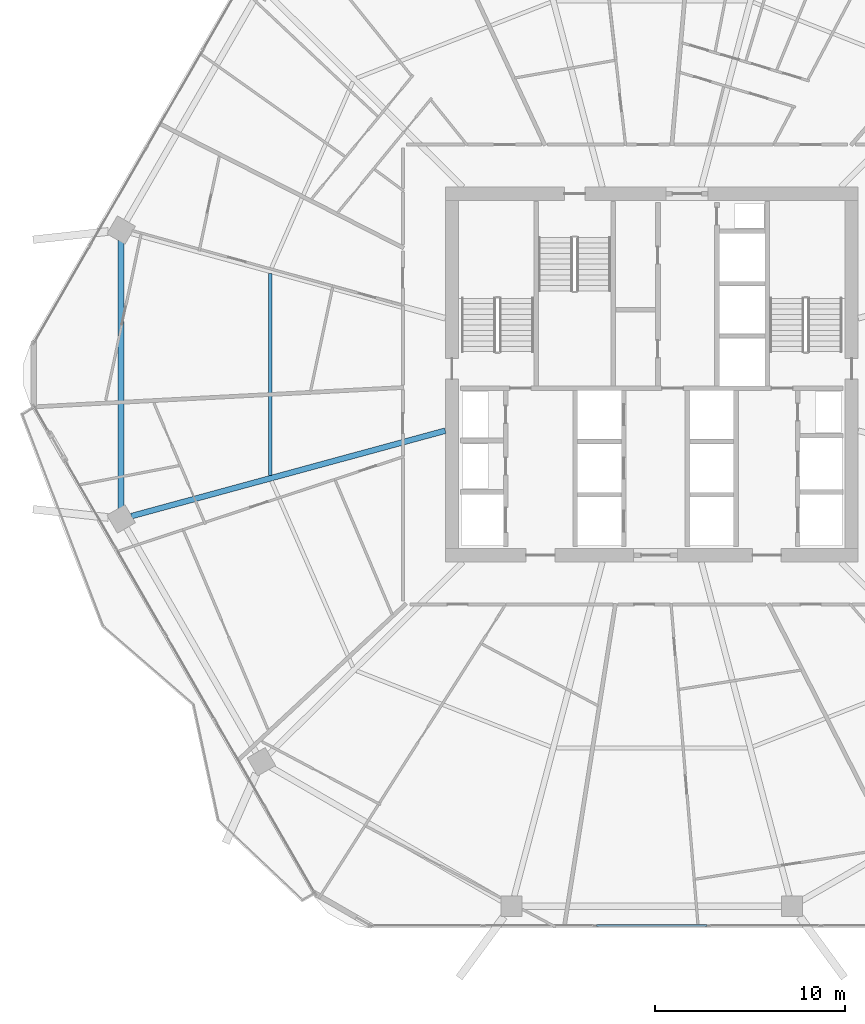
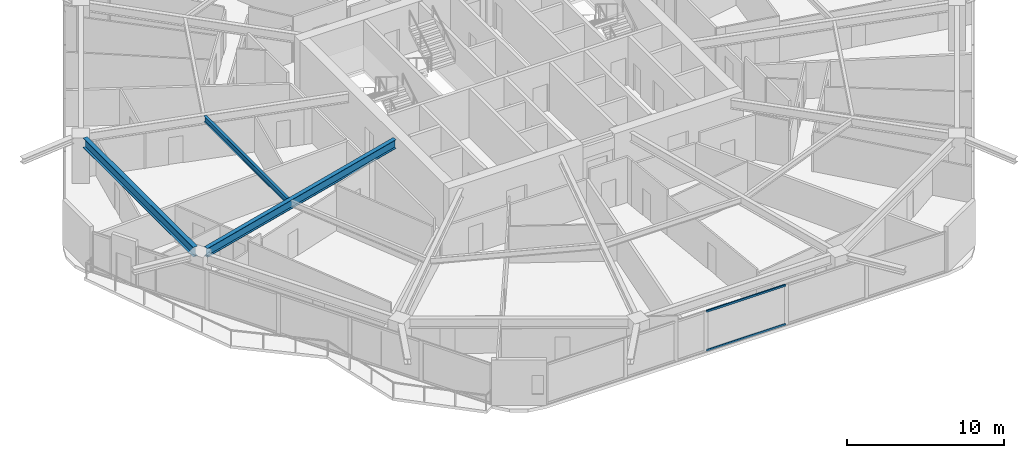
# One storey, part 5 of 29: 3 beams, 2 members, 1 element without a shape of its own.
"""IFC4 building model written with IfcOpenShell, lengths in metres."""

from ifc_helpers import new_model, si_unit, direction, frame, origin, origin_2d, place, context, subcontext, project, spatial, hollow_rectangle, i_section, extrude, material, material_profile, profile_set, type_object, element, aggregate, save


model = new_model("IFC4")

# Units and contexts
model_context = context("Model", 3, precision=1e-05, world=origin(), true_north=direction((0.0, 1.0)))
body_context = subcontext(model_context, "Body", "Model", "MODEL_VIEW")
ifc_project = project(units=[si_unit("LENGTHUNIT", "METRE"), si_unit("AREAUNIT", "SQUARE_METRE"), si_unit("VOLUMEUNIT", "CUBIC_METRE"), si_unit("PLANEANGLEUNIT", "RADIAN"), si_unit("MASSUNIT", "GRAM", prefix="KILO")], contexts=[model_context])

# Site, building, storey
site_placement = place(None, origin())
site = spatial("IfcSite", under=ifc_project, at=site_placement, CompositionType="ELEMENT")
building_placement = place(site_placement, origin())
building = spatial("IfcBuilding", under=site, at=building_placement, Name="Zuhravey Tower", CompositionType="ELEMENT")
storey_placement = place(building_placement, frame((0.0, 0.0, 134.199951171875)))
storey = spatial("IfcBuildingStorey", under=building, at=storey_placement, Name="L33", CompositionType="ELEMENT", Elevation=134.199951171875)

# Curtain wall, members
ifc_material_1 = material(Name="Thermally broken anodised aluminium", Category="aluminium")
curtain_wall_type = type_object("IfcCurtainWallType", Name="Zone 1-2 Residential Curtain Wall CW3", PredefinedType="NOTDEFINED", material=ifc_material_1)
curtain_wall_placement = place(storey_placement, origin())
curtain_wall = element("IfcCurtainWall", 1, at=curtain_wall_placement, inside=storey, type_object=curtain_wall_type, Name="L33 CW3 CW-L33-F5-1", PredefinedType="NOTDEFINED")
ifc_material_2 = material(Name="Anodised aluminium", Category="aluminium")
ifc_material_profile_1 = material_profile(ifc_material_2, hollow_rectangle(XDim=0.090087890625, YDim=0.14990234375, WallThickness=0.0048828125, at=origin_2d()), Name="ALU-RHS-90x150x5")
ifc_profile_set_1 = profile_set([ifc_material_profile_1], Name="Anodised aluminium")
member_type = type_object("IfcMemberType", Name="Curtain-Wall Transom 90x150", PredefinedType="USERDEFINED", material=ifc_profile_set_1)
member_1_placement = place(storey_placement, frame((38.914794921875, 3.04150390625, 0.045166015625), z_axis=(-1.0, 0.0, 0.0), x_axis=(0.0, -1.0, 0.0)))
member_1 = element("IfcMember", 2, at=member_1_placement, type_object=member_type, Name="CW3 transom 3.1", ObjectType="TRANSOM", PredefinedType="USERDEFINED", context=body_context, shape_type="SweptSolid", body=[
    extrude(hollow_rectangle(XDim=0.090087890625, YDim=0.14990234375, WallThickness=0.0048828125, at=origin_2d()), origin(), (0.0, 0.0, 1.0), 5.82958984375),
])
member_2_placement = place(storey_placement, frame((38.914794921875, 3.04150390625, 3.0771484375), z_axis=(-1.0, 0.0, 0.0), x_axis=(0.0, -1.0, 0.0)))
member_2 = element("IfcMember", 3, at=member_2_placement, type_object=member_type, Name="CW3 transom 3.2", ObjectType="TRANSOM", PredefinedType="USERDEFINED", context=body_context, shape_type="SweptSolid", body=[
    extrude(hollow_rectangle(XDim=0.090087890625, YDim=0.14990234375, WallThickness=0.0048828125, at=origin_2d()), origin(), (0.0, 0.0, 1.0), 5.82958984375),
])
aggregate(curtain_wall, [member_1, member_2])

# Beams
ifc_material_3 = material(Name="Steel SM355", Category="steel")
ifc_material_profile_2 = material_profile(ifc_material_3, i_section(OverallWidth=0.320068359375, OverallDepth=0.75, WebThickness=0.013916015625, FlangeThickness=0.02490234375, at=origin_2d()), Name="H-750x320x14x25")
ifc_profile_set_2 = profile_set([ifc_material_profile_2], Name="Steel SM355")
beam_type_1 = type_object("IfcBeamType", Name="Perimeter Ring Beam H750x320", PredefinedType="BEAM", material=ifc_profile_set_2)
beam_1_placement = place(storey_placement, frame((8.11083984375, 39.03857421875, 3.175048828125), z_axis=(0.0, -1.0, 0.0), x_axis=(1.0, 0.0, 0.0)))
element("IfcBeam", 4, at=beam_1_placement, inside=storey, type_object=beam_type_1, Name="L33 PB1 BM-L33-PB-06", PredefinedType="BEAM", context=body_context, shape_type="SweptSolid", body=[
    extrude(i_section(OverallWidth=0.320068359375, OverallDepth=0.75, WebThickness=0.013916015625, FlangeThickness=0.02490234375, at=origin_2d()), origin(), (0.0, 0.0, 1.0), 14.0771484375),
])
ifc_material_profile_3 = material_profile(ifc_material_3, i_section(OverallWidth=0.300048828125, OverallDepth=0.699951171875, WebThickness=0.012939453125, FlangeThickness=0.02392578125, at=origin_2d()), Name="H-700x300x13x24")
ifc_profile_set_3 = profile_set([ifc_material_profile_3], Name="Steel SM355")
beam_type_2 = type_object("IfcBeamType", Name="Radial Primary Girder H700x300", PredefinedType="BEAM", material=ifc_profile_set_3)
beam_2_placement = place(storey_placement, frame((25.14697265625, 29.045654296875, 3.199951171875), z_axis=(-0.964893166225, -0.262642680791, 0.0), x_axis=(0.262642680791, -0.964893166225, 0.0)))
element("IfcBeam", 5, at=beam_2_placement, inside=storey, type_object=beam_type_2, Name="L33 RG1 BM-L33-RAD-07", PredefinedType="BEAM", context=body_context, shape_type="SweptSolid", body=[
    extrude(i_section(OverallWidth=0.300048828125, OverallDepth=0.699951171875, WebThickness=0.012939453125, FlangeThickness=0.02392578125, at=origin_2d()), origin(), (0.0, 0.0, 1.0), 17.102783203125),
])
ifc_material_profile_4 = material_profile(ifc_material_3, i_section(OverallWidth=0.199951171875, OverallDepth=0.449951171875, WebThickness=0.009033203125, FlangeThickness=0.013916015625, at=origin_2d()), Name="H-450x200x9x14")
ifc_profile_set_4 = profile_set([ifc_material_profile_4], Name="Steel SM355")
beam_type_3 = type_object("IfcBeamType", Name="Secondary Floor Joist H450x200", PredefinedType="JOIST", material=ifc_profile_set_4)
beam_3_placement = place(storey_placement, frame((15.947509765625, 37.304443359375, 3.324951171875), z_axis=(0.0, -1.0, 0.0), x_axis=(1.0, 0.0, 0.0)))
element("IfcBeam", 6, at=beam_3_placement, inside=storey, type_object=beam_type_3, Name="L33 SJ1 BM-L33-SJ-06-1", PredefinedType="JOIST", context=body_context, shape_type="SweptSolid", body=[
    extrude(i_section(OverallWidth=0.199951171875, OverallDepth=0.449951171875, WebThickness=0.009033203125, FlangeThickness=0.013916015625, at=origin_2d()), origin(), (0.0, 0.0, 1.0), 10.60888671875),
])

save(model, "model.ifc")
